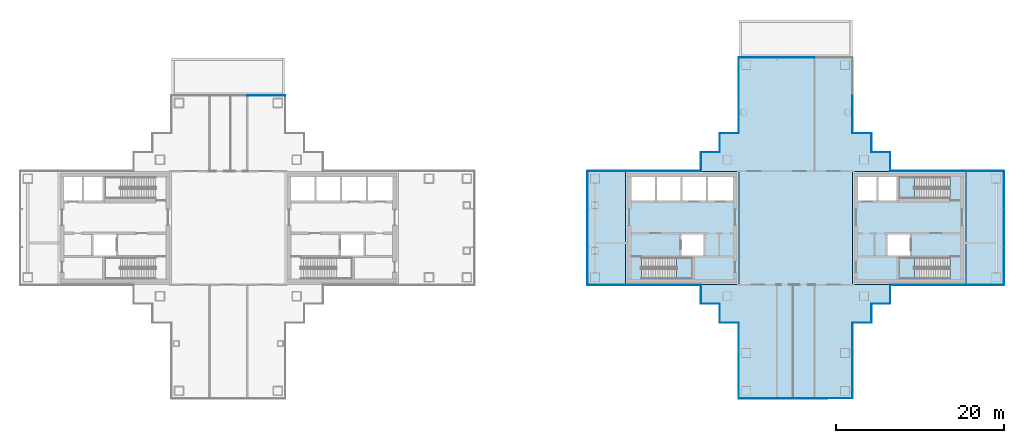
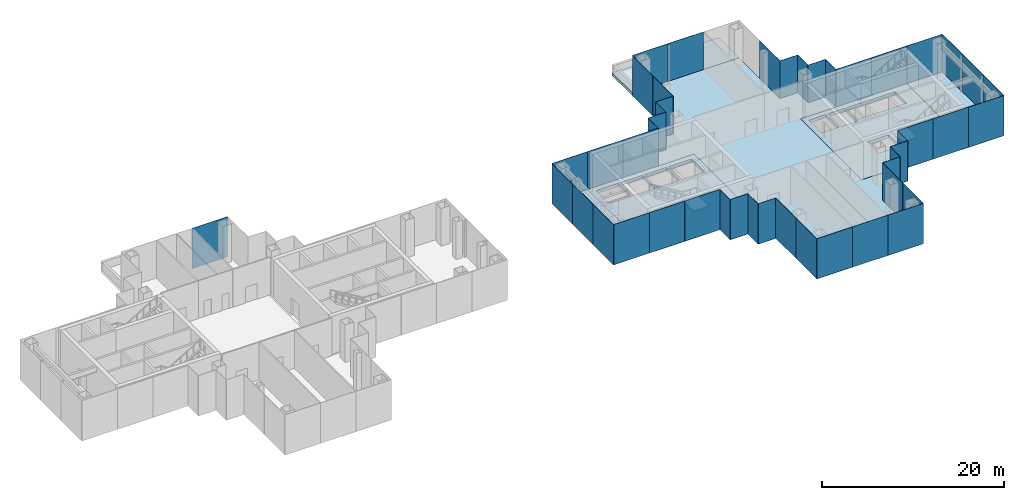
# One storey, part 7 of 15: 47 plates, 9 slabs, 24 elements without a shape of their own.
"""IFC4 building model written with IfcOpenShell, lengths in metres."""

import ifcopenshell
import ifcopenshell.guid

model = None  # the IFC model being written
_history = None  # IfcOwnerHistory: only IFC2X3 demands one
_inside = {}  # id of a spatial element -> (the spatial element, [elements in it])
_under = {}  # id of a project, library or spatial element -> (it, [spatial elements below it])
_declared = {}  # id of a project -> (the project, [libraries it declares])
_typed = {}  # id of a type object -> (the type object, [elements of that type])
_made_of = {}  # id of a material, layer set ... -> (it, [elements and type objects made of it])


def new_model(schema):
    """Start an empty IFC model of exactly this schema.

    Asked for "IFC4X3", IfcOpenShell would pick the latest addendum, in which some entities
    have other attributes; the version numbers below select the first issue.
    IFC2X3 requires an IfcOwnerHistory on every rooted entity: one is made here for all.
    """
    global model, _history
    if schema == "IFC4X3":
        model = ifcopenshell.file(schema_version=(4, 3, 0, 0))
    else:
        model = ifcopenshell.file(schema=schema)
    _inside.clear()
    _under.clear()
    _declared.clear()
    _typed.clear()
    _made_of.clear()
    _history = None
    if model.schema == "IFC2X3":
        org = make("IfcOrganization", Name="unknown")
        user = make(
            "IfcPersonAndOrganization",
            ThePerson=make("IfcPerson", FamilyName="unknown"),
            TheOrganization=org,
        )
        app = make(
            "IfcApplication",
            ApplicationDeveloper=org,
            Version="unknown",
            ApplicationFullName="unknown",
            ApplicationIdentifier="unknown",
        )
        _history = make(
            "IfcOwnerHistory",
            OwningUser=user,
            OwningApplication=app,
            ChangeAction="ADDED",
            CreationDate=0,
        )
    return model


def make(cls, **values):
    """One entity of the class cls with the attributes given. An attribute that is None is left unset."""
    return model.create_entity(
        cls, **{name: value for name, value in values.items() if value is not None}
    )


def rooted(cls, **values):
    """An entity with a GlobalId (a new one), such as an element, a storey or a relation."""
    return make(cls, GlobalId=ifcopenshell.guid.new(), OwnerHistory=_history, **values)


def si_unit(unit_type, name, prefix=None):
    """IfcSIUnit, for example si_unit("LENGTHUNIT", "METRE", prefix="MILLI")."""
    return make("IfcSIUnit", UnitType=unit_type, Prefix=prefix, Name=name)


def assignment(units):
    """IfcUnitAssignment: the units of a project."""
    return None if units is None else make("IfcUnitAssignment", Units=units)


def point(xyz):
    """IfcCartesianPoint."""
    return None if xyz is None else make("IfcCartesianPoint", Coordinates=xyz)


def direction(xyz):
    """IfcDirection."""
    return None if xyz is None else make("IfcDirection", DirectionRatios=xyz)


def frame(location, z_axis=None, x_axis=None):
    """IfcAxis2Placement3D, a coordinate frame: its origin and axes. An axis left out is left unset."""
    return make(
        "IfcAxis2Placement3D",
        Location=point(location),
        Axis=direction(z_axis),
        RefDirection=direction(x_axis),
    )


def frame_2d(location, x_axis=None):
    """IfcAxis2Placement2D, a coordinate frame in the plane: its origin and x axis."""
    return make(
        "IfcAxis2Placement2D", Location=point(location), RefDirection=direction(x_axis)
    )


def origin():
    """The frame at (0, 0, 0) with its axes left unset."""
    return frame((0.0, 0.0, 0.0))


def origin_2d():
    """The frame at (0, 0) in the plane with its x axis left unset."""
    return frame_2d((0.0, 0.0))


def place(relative_to, where):
    """IfcLocalPlacement: puts the frame where relative to a parent placement (None: the world)."""
    return make(
        "IfcLocalPlacement", PlacementRelTo=relative_to, RelativePlacement=where
    )


def context(
    kind, dimensions, precision=None, world=None, true_north=None, identifier=None
):
    """IfcGeometricRepresentationContext, for example the 3D "Model" context."""
    return make(
        "IfcGeometricRepresentationContext",
        ContextIdentifier=identifier,
        ContextType=kind,
        CoordinateSpaceDimension=dimensions,
        Precision=precision,
        WorldCoordinateSystem=world,
        TrueNorth=true_north,
    )


def subcontext(parent, identifier, kind, view, scale=None):
    """IfcGeometricRepresentationSubContext, for example "Body" below "Model"."""
    return make(
        "IfcGeometricRepresentationSubContext",
        ContextIdentifier=identifier,
        ContextType=kind,
        ParentContext=parent,
        TargetScale=scale,
        TargetView=view,
    )


def project(units=None, contexts=None):
    """IfcProject with its units and contexts."""
    return rooted(
        "IfcProject",
        Name="project",
        RepresentationContexts=contexts,
        UnitsInContext=assignment(units),
    )


def spatial(cls, under=None, at=None, **own):
    """A site, building, storey or space (cls), placed at a placement, below another one or the project."""
    s = rooted(cls, ObjectPlacement=at, **own)
    if under is not None:
        _under.setdefault(under.id(), (under, []))[1].append(s)
    return s


def polyline(points):
    """IfcPolyline through the points."""
    return make("IfcPolyline", Points=[point(p) for p in points])


def profile(cls, at=None, kind="AREA", **sizes):
    """A parametric profile (cls). Its sizes go by their IFC names, for example OverallWidth=200.0."""
    return make(cls, ProfileType=kind, Position=at, **sizes)


def rectangle(**sizes):
    """IfcRectangleProfileDef."""
    return profile("IfcRectangleProfileDef", **sizes)


def outline(outer, holes=None, kind="AREA"):
    """IfcArbitraryClosedProfileDef: a profile drawn as a closed curve; with holes, ...WithVoids."""
    if holes is None:
        return make("IfcArbitraryClosedProfileDef", ProfileType=kind, OuterCurve=outer)
    return make(
        "IfcArbitraryProfileDefWithVoids",
        ProfileType=kind,
        OuterCurve=outer,
        InnerCurves=holes,
    )


def extrude(swept, where, along, depth):
    """IfcExtrudedAreaSolid: the profile swept, set in the frame where, extruded along a direction by depth."""
    return make(
        "IfcExtrudedAreaSolid",
        SweptArea=swept,
        Position=where,
        ExtrudedDirection=direction(along),
        Depth=depth,
    )


def shape(context_of_items, identifier, shape_type, items):
    """IfcShapeRepresentation: the items that make up one representation, for example the "Body"."""
    return make(
        "IfcShapeRepresentation",
        ContextOfItems=context_of_items,
        RepresentationIdentifier=identifier,
        RepresentationType=shape_type,
        Items=items,
    )


def material(Name=None, Category=None):
    """IfcMaterial."""
    return make("IfcMaterial", Name=Name, Category=Category)


def layer(
    of_material, thickness, ventilated=None, Name=None, Category=None, Priority=None
):
    """IfcMaterialLayer: one layer of a wall or slab, of a material (None: an air gap)."""
    return make(
        "IfcMaterialLayer",
        Material=of_material,
        LayerThickness=thickness,
        IsVentilated=ventilated,
        Name=Name,
        Category=Category,
        Priority=Priority,
    )


def layer_set(layers, Name=None):
    """IfcMaterialLayerSet."""
    return make("IfcMaterialLayerSet", MaterialLayers=layers, LayerSetName=Name)


def made_of(thing, what):
    """Note that an element or type object is made of a material, layer set ...; save() writes the relation."""
    if what is not None:
        _made_of.setdefault(what.id(), (what, []))[1].append(thing)
    return thing


def type_object(cls, material=None, **own):
    """A type object (cls), such as IfcWallType, which elements share."""
    return made_of(rooted(cls, **own), material)


def element(
    cls,
    number,
    at=None,
    inside=None,
    cuts=None,
    type_object=None,
    material=None,
    context=None,
    identifier="Body",
    shape_type=None,
    held_by="IfcProductDefinitionShape",
    body=None,
    shapes=None,
    **own,
):
    """One element of the class cls, such as IfcWall. Its Tag is "e" and its number.

    at: its placement. inside: the storey or other place that contains it. cuts: it is an
    opening in that element (IfcRelVoidsElement). A single representation is given by context,
    identifier, shape_type and body (its items); several are given by shapes. held_by: the class
    of the entity that holds the representations. save() writes the other relations.
    """
    e = rooted(cls, Tag="e%d" % number, ObjectPlacement=at, **own)
    if body is not None:
        shapes = [shape(context, identifier, shape_type, body)]
    if shapes is not None:
        e.Representation = make(held_by, Representations=shapes)
    if inside is not None:
        _inside.setdefault(inside.id(), (inside, []))[1].append(e)
    if cuts is not None:
        rooted(
            "IfcRelVoidsElement", RelatingBuildingElement=cuts, RelatedOpeningElement=e
        )
    if type_object is not None:
        _typed.setdefault(type_object.id(), (type_object, []))[1].append(e)
    return made_of(e, material)


def aggregate(whole, parts):
    """IfcRelAggregates: a whole, such as a stair, and the parts it consists of."""
    return rooted("IfcRelAggregates", RelatingObject=whole, RelatedObjects=parts)


def save(model, path):
    """Write the relations noted so far, then the file.

    IfcRelAggregates (storeys below a building ...), IfcRelContainedInSpatialStructure (elements
    in a storey), IfcRelDefinesByType, IfcRelAssociatesMaterial and IfcRelDeclares: one each for
    every whole, place, type object, material and project.
    """
    for whole, parts in _under.values():
        aggregate(whole, parts)
    for where, things in _inside.values():
        rooted(
            "IfcRelContainedInSpatialStructure",
            RelatedElements=things,
            RelatingStructure=where,
        )
    for kind, things in _typed.values():
        rooted("IfcRelDefinesByType", RelatedObjects=things, RelatingType=kind)
    for what, things in _made_of.values():
        rooted("IfcRelAssociatesMaterial", RelatedObjects=things, RelatingMaterial=what)
    for by, libraries in _declared.values():
        rooted("IfcRelDeclares", RelatingContext=by, RelatedDefinitions=libraries)
    model.write(path)


model = new_model("IFC4")

# Units and contexts
model_context = context("Model", 3, precision=1e-05, world=origin(), true_north=direction((0.0, 1.0)))
body_context = subcontext(model_context, "Body", "Model", "MODEL_VIEW")
ifc_project = project(units=[si_unit("LENGTHUNIT", "METRE"), si_unit("AREAUNIT", "SQUARE_METRE"), si_unit("VOLUMEUNIT", "CUBIC_METRE"), si_unit("PLANEANGLEUNIT", "RADIAN"), si_unit("MASSUNIT", "GRAM", prefix="KILO")], contexts=[model_context])

# Site, building, storey
site_placement = place(None, origin())
site = spatial("IfcSite", under=ifc_project, at=site_placement, CompositionType="ELEMENT")
building_placement = place(site_placement, origin())
building = spatial("IfcBuilding", under=site, at=building_placement, Name="Shamsa Quay Exchange Towers", CompositionType="ELEMENT")
storey_placement = place(building_placement, frame((0.0, 0.0, 133.5)))
storey = spatial("IfcBuildingStorey", under=building, at=storey_placement, Name="L31", CompositionType="ELEMENT", Elevation=133.5)

# Slabs
ifc_material_1 = material(Name="Concrete C50/60", Category="concrete")
ifc_layer_1 = layer(ifc_material_1, 0.39990234375)
ifc_layer_set_1 = layer_set([ifc_layer_1], Name="CORE FLOOR 400 C50/60")
slab_type_1 = type_object("IfcSlabType", Name="CORE FLOOR 400 C50/60", PredefinedType="FLOOR", material=ifc_layer_set_1)
slab_1_placement = place(storey_placement, frame((0.0, 0.0, -0.39990234375)))
element("IfcSlab", 1, at=slab_1_placement, inside=storey, type_object=slab_type_1, Name="Core floor T2A", PredefinedType="FLOOR", context=body_context, shape_type="SweptSolid", body=[
    extrude(outline(polyline([(13.5, -6.75), (27.0, -6.75), (27.0, 6.75), (13.5, 6.75), (13.5, -6.75)]), holes=[polyline([(15.400634765625, -6.050048828125), (15.400634765625, -3.5), (21.5, -3.5), (21.5, -6.050048828125), (15.400634765625, -6.050048828125)]), polyline([(14.199951171875, 3.25), (14.199951171875, 6.050048828125), (17.0, 6.050048828125), (17.0, 3.25), (14.199951171875, 3.25)]), polyline([(17.25, 3.25), (17.25, 6.050048828125), (20.050048828125, 6.050048828125), (20.050048828125, 3.25), (17.25, 3.25)]), polyline([(20.300048828125, 3.25), (20.300048828125, 6.050048828125), (23.10009765625, 6.050048828125), (23.10009765625, 3.25), (20.300048828125, 3.25)]), polyline([(23.35009765625, 3.25), (23.35009765625, 6.050048828125), (26.300048828125, 6.050048828125), (26.300048828125, 3.25), (23.35009765625, 3.25)]), polyline([(20.14990234375, -3.25), (20.14990234375, -0.75), (22.800048828125, -0.75), (22.800048828125, -3.25), (20.14990234375, -3.25)])]), origin(), (0.0, 0.0, 1.0), 0.39990234375),
])
slab_2_placement = place(storey_placement, frame((0.0, 0.0, -0.39990234375)))
element("IfcSlab", 2, at=slab_2_placement, inside=storey, type_object=slab_type_1, Name="Core floor T2B", PredefinedType="FLOOR", context=body_context, shape_type="SweptSolid", body=[
    extrude(outline(polyline([(54.0, -6.75), (54.0, 6.75), (40.5, 6.75), (40.5, -6.75), (54.0, -6.75)]), holes=[polyline([(52.099365234375, -3.5), (52.099365234375, -6.050048828125), (46.0, -6.050048828125), (46.0, -3.5), (52.099365234375, -3.5)]), polyline([(52.099365234375, 6.050048828125), (52.099365234375, 3.5), (46.0, 3.5), (46.0, 6.050048828125), (52.099365234375, 6.050048828125)]), polyline([(45.75, 3.25), (43.60009765625, 3.25), (43.60009765625, 6.050048828125), (45.75, 6.050048828125), (45.75, 3.25)]), polyline([(43.35009765625, 3.25), (41.199951171875, 3.25), (41.199951171875, 6.050048828125), (43.35009765625, 6.050048828125), (43.35009765625, 3.25)]), polyline([(47.35009765625, -3.25), (44.699951171875, -3.25), (44.699951171875, -0.75), (47.35009765625, -0.75), (47.35009765625, -3.25)])]), origin(), (0.0, 0.0, 1.0), 0.39990234375),
])

# Stair, slab
ifc_material_2 = material(Name="Concrete C40/50", Category="concrete")
stair_type = type_object("IfcStairType", Name="EXIT STAIR 32 RISERS 169 MM", PredefinedType="HALF_TURN_STAIR", material=ifc_material_2)
stair_1_placement = place(storey_placement, origin())
stair_1 = element("IfcStair", 3, at=stair_1_placement, inside=storey, type_object=stair_type, Name="L31 Exit stair ST4", PredefinedType="HALF_TURN_STAIR")
ifc_layer_2 = layer(ifc_material_2, 0.199951171875)
ifc_layer_set_2 = layer_set([ifc_layer_2], Name="CORE STAIR LANDING")
slab_type_2 = type_object("IfcSlabType", Name="CORE STAIR LANDING", PredefinedType="LANDING", material=ifc_layer_set_2)
slab_3_placement = place(storey_placement, frame((0.0, 0.0, 2.5)))
slab_3 = element("IfcSlab", 4, at=slab_3_placement, type_object=slab_type_2, Name="ST4 landing 1", PredefinedType="LANDING", context=body_context, shape_type="SweptSolid", body=[
    extrude(outline(polyline([(19.60009765625, -6.050048828125), (21.5, -6.050048828125), (21.5, -3.5), (19.60009765625, -3.5), (19.60009765625, -6.050048828125)])), origin(), (0.0, 0.0, 1.0), 0.199951171875),
])
aggregate(stair_1, [slab_3])

stair_2_placement = place(storey_placement, origin())
stair_2 = element("IfcStair", 5, at=stair_2_placement, inside=storey, type_object=stair_type, Name="L31 Exit stair ST5", PredefinedType="HALF_TURN_STAIR")
slab_4_placement = place(storey_placement, frame((0.0, 0.0, 2.5)))
slab_4 = element("IfcSlab", 6, at=slab_4_placement, type_object=slab_type_2, Name="ST5 landing 1", PredefinedType="LANDING", context=body_context, shape_type="SweptSolid", body=[
    extrude(outline(polyline([(47.89990234375, -3.5), (46.0, -3.5), (46.0, -6.050048828125), (47.89990234375, -6.050048828125), (47.89990234375, -3.5)])), origin(), (0.0, 0.0, 1.0), 0.199951171875),
])
aggregate(stair_2, [slab_4])

stair_3_placement = place(storey_placement, origin())
stair_3 = element("IfcStair", 7, at=stair_3_placement, inside=storey, type_object=stair_type, Name="L31 Exit stair ST6", PredefinedType="HALF_TURN_STAIR")
slab_5_placement = place(storey_placement, frame((0.0, 0.0, 2.5)))
slab_5 = element("IfcSlab", 8, at=slab_5_placement, type_object=slab_type_2, Name="ST6 landing 1", PredefinedType="LANDING", context=body_context, shape_type="SweptSolid", body=[
    extrude(outline(polyline([(47.89990234375, 6.050048828125), (46.0, 6.050048828125), (46.0, 3.5), (47.89990234375, 3.5), (47.89990234375, 6.050048828125)])), origin(), (0.0, 0.0, 1.0), 0.199951171875),
])
aggregate(stair_3, [slab_5])

# Curtain wall, plates
ifc_material_3 = material(Name="Aluminium EN AW-6063 T6, black anodised", Category="aluminium")
ifc_layer_3 = layer(ifc_material_3, 0.303955078125)
ifc_layer_set_3 = layer_set([ifc_layer_3], Name="CW-2 UNITISED OPAQUE SPANDREL GLASS")
curtain_wall_type_1 = type_object("IfcCurtainWallType", Name="CW-2 UNITISED OPAQUE SPANDREL GLASS", PredefinedType="NOTDEFINED", material=ifc_layer_set_3)
curtain_wall_1_placement = place(storey_placement, origin())
curtain_wall_1 = element("IfcCurtainWall", 9, at=curtain_wall_1_placement, inside=storey, type_object=curtain_wall_type_1, Name="CW2 T2-FLK-V-W L31", PredefinedType="NOTDEFINED")
ifc_material_4 = material(Name="Glass, laminated, black enamelled opaque", Category="glass")
ifc_layer_4 = layer(ifc_material_4, 0.0439453125)
ifc_layer_set_4 = layer_set([ifc_layer_4], Name="CW-2 SPANDREL GLASS 44")
plate_type_1 = type_object("IfcPlateType", Name="CW-2 SPANDREL GLASS 44", PredefinedType="CURTAIN_PANEL", material=ifc_layer_set_4)
plate_1_placement = place(storey_placement, frame((47.27587890625, -6.77197265625, -0.349853515625)))
plate_1 = element("IfcPlate", 10, at=plate_1_placement, type_object=plate_type_1, Name="CW2 glass panel", PredefinedType="CURTAIN_PANEL", context=body_context, shape_type="SweptSolid", body=[
    extrude(rectangle(XDim=4.47607421875, YDim=0.0439453125, at=origin_2d()), origin(), (0.0, 0.0, 1.0), 5.39990234375),
])
plate_2_placement = place(storey_placement, frame((51.761962890625, -6.77197265625, -0.349853515625)))
plate_2 = element("IfcPlate", 11, at=plate_2_placement, type_object=plate_type_1, Name="CW2 glass panel", PredefinedType="CURTAIN_PANEL", context=body_context, shape_type="SweptSolid", body=[
    extrude(rectangle(XDim=4.47607421875, YDim=0.0439453125, at=origin_2d()), origin(), (0.0, 0.0, 1.0), 5.39990234375),
])
aggregate(curtain_wall_1, [plate_1, plate_2])

curtain_wall_2_placement = place(storey_placement, origin())
curtain_wall_2 = element("IfcCurtainWall", 12, at=curtain_wall_2_placement, inside=storey, type_object=curtain_wall_type_1, Name="CW2 T2-FLK-V-E L31", PredefinedType="NOTDEFINED")
plate_3_placement = place(storey_placement, frame((51.75244140625, 6.77197265625, -0.349853515625), z_axis=(0.0, 0.0, 1.0), x_axis=(-1.0, 0.0, 0.0)))
plate_3 = element("IfcPlate", 13, at=plate_3_placement, type_object=plate_type_1, Name="CW2 glass panel", PredefinedType="CURTAIN_PANEL", context=body_context, shape_type="SweptSolid", body=[
    extrude(rectangle(XDim=4.4951171875, YDim=0.0439453125, at=origin_2d()), origin(), (0.0, 0.0, 1.0), 5.39990234375),
])
plate_4_placement = place(storey_placement, frame((47.24755859375, 6.77197265625, -0.349853515625), z_axis=(0.0, 0.0, 1.0), x_axis=(-1.0, 0.0, 0.0)))
plate_4 = element("IfcPlate", 14, at=plate_4_placement, type_object=plate_type_1, Name="CW2 glass panel", PredefinedType="CURTAIN_PANEL", context=body_context, shape_type="SweptSolid", body=[
    extrude(rectangle(XDim=4.4951171875, YDim=0.0439453125, at=origin_2d()), origin(), (0.0, 0.0, 1.0), 5.39990234375),
])
aggregate(curtain_wall_2, [plate_3, plate_4])

curtain_wall_3_placement = place(storey_placement, origin())
curtain_wall_3 = element("IfcCurtainWall", 15, at=curtain_wall_3_placement, inside=storey, type_object=curtain_wall_type_1, Name="CW2 T2-FLK-V+E L31", PredefinedType="NOTDEFINED")
plate_5_placement = place(storey_placement, frame((20.22412109375, 6.77197265625, -0.349853515625), z_axis=(0.0, 0.0, 1.0), x_axis=(-1.0, 0.0, 0.0)))
plate_5 = element("IfcPlate", 16, at=plate_5_placement, type_object=plate_type_1, Name="CW2 glass panel", PredefinedType="CURTAIN_PANEL", context=body_context, shape_type="SweptSolid", body=[
    extrude(rectangle(XDim=4.47607421875, YDim=0.0439453125, at=origin_2d()), origin(), (0.0, 0.0, 1.0), 5.39990234375),
])
plate_6_placement = place(storey_placement, frame((15.738037109375, 6.77197265625, -0.349853515625), z_axis=(0.0, 0.0, 1.0), x_axis=(-1.0, 0.0, 0.0)))
plate_6 = element("IfcPlate", 17, at=plate_6_placement, type_object=plate_type_1, Name="CW2 glass panel", PredefinedType="CURTAIN_PANEL", context=body_context, shape_type="SweptSolid", body=[
    extrude(rectangle(XDim=4.47607421875, YDim=0.0439453125, at=origin_2d()), origin(), (0.0, 0.0, 1.0), 5.39990234375),
])
aggregate(curtain_wall_3, [plate_5, plate_6])

curtain_wall_4_placement = place(storey_placement, origin())
curtain_wall_4 = element("IfcCurtainWall", 18, at=curtain_wall_4_placement, inside=storey, type_object=curtain_wall_type_1, Name="CW2 T2-FLK-V+W L31", PredefinedType="NOTDEFINED")
plate_7_placement = place(storey_placement, frame((15.74755859375, -6.77197265625, -0.349853515625)))
plate_7 = element("IfcPlate", 19, at=plate_7_placement, type_object=plate_type_1, Name="CW2 glass panel", PredefinedType="CURTAIN_PANEL", context=body_context, shape_type="SweptSolid", body=[
    extrude(rectangle(XDim=4.4951171875, YDim=0.0439453125, at=origin_2d()), origin(), (0.0, 0.0, 1.0), 5.39990234375),
])
plate_8_placement = place(storey_placement, frame((20.25244140625, -6.77197265625, -0.349853515625)))
plate_8 = element("IfcPlate", 20, at=plate_8_placement, type_object=plate_type_1, Name="CW2 glass panel", PredefinedType="CURTAIN_PANEL", context=body_context, shape_type="SweptSolid", body=[
    extrude(rectangle(XDim=4.4951171875, YDim=0.0439453125, at=origin_2d()), origin(), (0.0, 0.0, 1.0), 5.39990234375),
])
aggregate(curtain_wall_4, [plate_7, plate_8])

ifc_layer_5 = layer(ifc_material_3, 0.256103515625)
ifc_layer_set_5 = layer_set([ifc_layer_5], Name="CW-4 POCKET SERRATED GLAZING")
curtain_wall_type_2 = type_object("IfcCurtainWallType", Name="CW-4 POCKET SERRATED GLAZING", PredefinedType="NOTDEFINED", material=ifc_layer_set_5)
curtain_wall_5_placement = place(storey_placement, origin())
curtain_wall_5 = element("IfcCurtainWall", 21, at=curtain_wall_5_placement, inside=storey, type_object=curtain_wall_type_2, Name="CW4 PKWS L31", PredefinedType="NOTDEFINED")
ifc_material_5 = material(Name="Glass, laminated, dark tinted", Category="glass")
ifc_layer_6 = layer(ifc_material_5, 0.035888671875)
ifc_layer_set_6 = layer_set([ifc_layer_6], Name="CW-4 POCKET GLASS 36")
plate_type_2 = type_object("IfcPlateType", Name="CW-4 POCKET GLASS 36", PredefinedType="CURTAIN_PANEL", material=ifc_layer_set_6)
plate_9_placement = place(storey_placement, frame((43.89404296875, -9.01806640625, -0.349853515625)))
plate_9 = element("IfcPlate", 22, at=plate_9_placement, type_object=plate_type_2, Name="CW4 glass panel", PredefinedType="CURTAIN_PANEL", context=body_context, shape_type="SweptSolid", body=[
    extrude(rectangle(XDim=2.2119140625, YDim=0.035888671875, at=origin_2d()), origin(), (0.0, 0.0, 1.0), 5.39990234375),
])
plate_10_placement = place(storey_placement, frame((45.01806640625, -7.875, -0.349853515625), z_axis=(0.0, 0.0, 1.0), x_axis=(0.0, 1.0, 0.0)))
plate_10 = element("IfcPlate", 23, at=plate_10_placement, type_object=plate_type_2, Name="CW4 glass panel", PredefinedType="CURTAIN_PANEL", context=body_context, shape_type="SweptSolid", body=[
    extrude(rectangle(XDim=2.25, YDim=0.035888671875, at=origin_2d()), origin(), (0.0, 0.0, 1.0), 5.39990234375),
])
plate_11_placement = place(storey_placement, frame((41.64794921875, -11.26806640625, -0.349853515625)))
plate_11 = element("IfcPlate", 24, at=plate_11_placement, type_object=plate_type_2, Name="CW4 glass panel", PredefinedType="CURTAIN_PANEL", context=body_context, shape_type="SweptSolid", body=[
    extrude(rectangle(XDim=2.2041015625, YDim=0.035888671875, at=origin_2d()), origin(), (0.0, 0.0, 1.0), 5.39990234375),
])
plate_12_placement = place(storey_placement, frame((42.76806640625, -10.125, -0.349853515625), z_axis=(0.0, 0.0, 1.0), x_axis=(0.0, 1.0, 0.0)))
plate_12 = element("IfcPlate", 25, at=plate_12_placement, type_object=plate_type_2, Name="CW4 glass panel", PredefinedType="CURTAIN_PANEL", context=body_context, shape_type="SweptSolid", body=[
    extrude(rectangle(XDim=2.25, YDim=0.035888671875, at=origin_2d()), origin(), (0.0, 0.0, 1.0), 5.39990234375),
])
aggregate(curtain_wall_5, [plate_9, plate_10, plate_11, plate_12])

curtain_wall_6_placement = place(storey_placement, origin())
curtain_wall_6 = element("IfcCurtainWall", 26, at=curtain_wall_6_placement, inside=storey, type_object=curtain_wall_type_2, Name="CW4 PKES L31", PredefinedType="NOTDEFINED")
plate_13_placement = place(storey_placement, frame((45.01806640625, 7.89794921875, -0.349853515625), z_axis=(0.0, 0.0, 1.0), x_axis=(0.0, 1.0, 0.0)))
plate_13 = element("IfcPlate", 27, at=plate_13_placement, type_object=plate_type_2, Name="CW4 glass panel", PredefinedType="CURTAIN_PANEL", context=body_context, shape_type="SweptSolid", body=[
    extrude(rectangle(XDim=2.2041015625, YDim=0.035888671875, at=origin_2d()), origin(), (0.0, 0.0, 1.0), 5.39990234375),
])
plate_14_placement = place(storey_placement, frame((43.875, 9.01806640625, -0.349853515625), z_axis=(0.0, 0.0, 1.0), x_axis=(-1.0, 0.0, 0.0)))
plate_14 = element("IfcPlate", 28, at=plate_14_placement, type_object=plate_type_2, Name="CW4 glass panel", PredefinedType="CURTAIN_PANEL", context=body_context, shape_type="SweptSolid", body=[
    extrude(rectangle(XDim=2.25, YDim=0.035888671875, at=origin_2d()), origin(), (0.0, 0.0, 1.0), 5.39990234375),
])
plate_15_placement = place(storey_placement, frame((42.76806640625, 10.14404296875, -0.349853515625), z_axis=(0.0, 0.0, 1.0), x_axis=(0.0, 1.0, 0.0)))
plate_15 = element("IfcPlate", 29, at=plate_15_placement, type_object=plate_type_2, Name="CW4 glass panel", PredefinedType="CURTAIN_PANEL", context=body_context, shape_type="SweptSolid", body=[
    extrude(rectangle(XDim=2.2119140625, YDim=0.035888671875, at=origin_2d()), origin(), (0.0, 0.0, 1.0), 5.39990234375),
])
plate_16_placement = place(storey_placement, frame((41.625, 11.26806640625, -0.349853515625), z_axis=(0.0, 0.0, 1.0), x_axis=(-1.0, 0.0, 0.0)))
plate_16 = element("IfcPlate", 30, at=plate_16_placement, type_object=plate_type_2, Name="CW4 glass panel", PredefinedType="CURTAIN_PANEL", context=body_context, shape_type="SweptSolid", body=[
    extrude(rectangle(XDim=2.25, YDim=0.035888671875, at=origin_2d()), origin(), (0.0, 0.0, 1.0), 5.39990234375),
])
aggregate(curtain_wall_6, [plate_13, plate_14, plate_15, plate_16])

curtain_wall_7_placement = place(storey_placement, origin())
curtain_wall_7 = element("IfcCurtainWall", 31, at=curtain_wall_7_placement, inside=storey, type_object=curtain_wall_type_2, Name="CW4 PKEN L31", PredefinedType="NOTDEFINED")
plate_17_placement = place(storey_placement, frame((25.85205078125, 11.26806640625, -0.349853515625), z_axis=(0.0, 0.0, 1.0), x_axis=(-1.0, 0.0, 0.0)))
plate_17 = element("IfcPlate", 32, at=plate_17_placement, type_object=plate_type_2, Name="CW4 glass panel", PredefinedType="CURTAIN_PANEL", context=body_context, shape_type="SweptSolid", body=[
    extrude(rectangle(XDim=2.2041015625, YDim=0.035888671875, at=origin_2d()), origin(), (0.0, 0.0, 1.0), 5.39990234375),
])
plate_18_placement = place(storey_placement, frame((24.73193359375, 10.125, -0.349853515625), z_axis=(0.0, 0.0, 1.0), x_axis=(0.0, -1.0, 0.0)))
plate_18 = element("IfcPlate", 33, at=plate_18_placement, type_object=plate_type_2, Name="CW4 glass panel", PredefinedType="CURTAIN_PANEL", context=body_context, shape_type="SweptSolid", body=[
    extrude(rectangle(XDim=2.25, YDim=0.035888671875, at=origin_2d()), origin(), (0.0, 0.0, 1.0), 5.39990234375),
])
plate_19_placement = place(storey_placement, frame((23.60595703125, 9.01806640625, -0.349853515625), z_axis=(0.0, 0.0, 1.0), x_axis=(-1.0, 0.0, 0.0)))
plate_19 = element("IfcPlate", 34, at=plate_19_placement, type_object=plate_type_2, Name="CW4 glass panel", PredefinedType="CURTAIN_PANEL", context=body_context, shape_type="SweptSolid", body=[
    extrude(rectangle(XDim=2.2119140625, YDim=0.035888671875, at=origin_2d()), origin(), (0.0, 0.0, 1.0), 5.39990234375),
])
plate_20_placement = place(storey_placement, frame((22.48193359375, 7.875, -0.349853515625), z_axis=(0.0, 0.0, 1.0), x_axis=(0.0, -1.0, 0.0)))
plate_20 = element("IfcPlate", 35, at=plate_20_placement, type_object=plate_type_2, Name="CW4 glass panel", PredefinedType="CURTAIN_PANEL", context=body_context, shape_type="SweptSolid", body=[
    extrude(rectangle(XDim=2.25, YDim=0.035888671875, at=origin_2d()), origin(), (0.0, 0.0, 1.0), 5.39990234375),
])
aggregate(curtain_wall_7, [plate_17, plate_18, plate_19, plate_20])

curtain_wall_8_placement = place(storey_placement, origin())
curtain_wall_8 = element("IfcCurtainWall", 36, at=curtain_wall_8_placement, inside=storey, type_object=curtain_wall_type_2, Name="CW4 PKWN L31", PredefinedType="NOTDEFINED")
plate_21_placement = place(storey_placement, frame((22.48193359375, -7.89794921875, -0.349853515625), z_axis=(0.0, 0.0, 1.0), x_axis=(0.0, -1.0, 0.0)))
plate_21 = element("IfcPlate", 37, at=plate_21_placement, type_object=plate_type_2, Name="CW4 glass panel", PredefinedType="CURTAIN_PANEL", context=body_context, shape_type="SweptSolid", body=[
    extrude(rectangle(XDim=2.2041015625, YDim=0.035888671875, at=origin_2d()), origin(), (0.0, 0.0, 1.0), 5.39990234375),
])
plate_22_placement = place(storey_placement, frame((23.625, -9.01806640625, -0.349853515625)))
plate_22 = element("IfcPlate", 38, at=plate_22_placement, type_object=plate_type_2, Name="CW4 glass panel", PredefinedType="CURTAIN_PANEL", context=body_context, shape_type="SweptSolid", body=[
    extrude(rectangle(XDim=2.25, YDim=0.035888671875, at=origin_2d()), origin(), (0.0, 0.0, 1.0), 5.39990234375),
])
plate_23_placement = place(storey_placement, frame((24.73193359375, -10.14404296875, -0.349853515625), z_axis=(0.0, 0.0, 1.0), x_axis=(0.0, -1.0, 0.0)))
plate_23 = element("IfcPlate", 39, at=plate_23_placement, type_object=plate_type_2, Name="CW4 glass panel", PredefinedType="CURTAIN_PANEL", context=body_context, shape_type="SweptSolid", body=[
    extrude(rectangle(XDim=2.2119140625, YDim=0.035888671875, at=origin_2d()), origin(), (0.0, 0.0, 1.0), 5.39990234375),
])
plate_24_placement = place(storey_placement, frame((25.875, -11.26806640625, -0.349853515625)))
plate_24 = element("IfcPlate", 40, at=plate_24_placement, type_object=plate_type_2, Name="CW4 glass panel", PredefinedType="CURTAIN_PANEL", context=body_context, shape_type="SweptSolid", body=[
    extrude(rectangle(XDim=2.25, YDim=0.035888671875, at=origin_2d()), origin(), (0.0, 0.0, 1.0), 5.39990234375),
])
aggregate(curtain_wall_8, [plate_21, plate_22, plate_23, plate_24])

# Curtain wall, plate
ifc_layer_7 = layer(ifc_material_3, 0.31396484375)
ifc_layer_set_7 = layer_set([ifc_layer_7], Name="CW-6 TALL STOREY GLAZING")
curtain_wall_type_3 = type_object("IfcCurtainWallType", Name="CW-6 TALL STOREY GLAZING", PredefinedType="NOTDEFINED", material=ifc_layer_set_7)
curtain_wall_9_placement = place(storey_placement, origin())
curtain_wall_9 = element("IfcCurtainWall", 41, at=curtain_wall_9_placement, inside=storey, type_object=curtain_wall_type_3, Name="CW6 T1-END-V+ L31", PredefinedType="NOTDEFINED")
ifc_layer_8 = layer(ifc_material_5, 0.0439453125)
ifc_layer_set_8 = layer_set([ifc_layer_8], Name="CW-6 TALL GLASS 44")
plate_type_3 = type_object("IfcPlateType", Name="CW-6 TALL GLASS 44", PredefinedType="CURTAIN_PANEL", material=ifc_layer_set_8)
plate_25_placement = place(storey_placement, frame((-29.24755859375, 15.77197265625, -0.349853515625), z_axis=(0.0, 0.0, 1.0), x_axis=(-1.0, 0.0, 0.0)))
plate_25 = element("IfcPlate", 42, at=plate_25_placement, type_object=plate_type_3, Name="CW6 glass panel", PredefinedType="CURTAIN_PANEL", context=body_context, shape_type="SweptSolid", body=[
    extrude(rectangle(XDim=4.4951171875, YDim=0.0439453125, at=origin_2d()), origin(), (0.0, 0.0, 1.0), 5.39990234375),
])
aggregate(curtain_wall_9, [plate_25])

curtain_wall_10_placement = place(storey_placement, origin())
curtain_wall_10 = element("IfcCurtainWall", 43, at=curtain_wall_10_placement, inside=storey, type_object=curtain_wall_type_3, Name="CW6 T2-FLK-V-W L31", PredefinedType="NOTDEFINED")
plate_26_placement = place(storey_placement, frame((56.25, -6.77197265625, -0.349853515625)))
plate_26 = element("IfcPlate", 44, at=plate_26_placement, type_object=plate_type_3, Name="CW6 glass panel", PredefinedType="CURTAIN_PANEL", context=body_context, shape_type="SweptSolid", body=[
    extrude(rectangle(XDim=4.5, YDim=0.0439453125, at=origin_2d()), origin(), (0.0, 0.0, 1.0), 5.39990234375),
])
aggregate(curtain_wall_10, [plate_26])

# Curtain wall, plates
curtain_wall_11_placement = place(storey_placement, origin())
curtain_wall_11 = element("IfcCurtainWall", 45, at=curtain_wall_11_placement, inside=storey, type_object=curtain_wall_type_3, Name="CW6 T2-END-V- L31", PredefinedType="NOTDEFINED")
plate_27_placement = place(storey_placement, frame((58.52197265625, -4.50244140625, -0.349853515625), z_axis=(0.0, 0.0, 1.0), x_axis=(0.0, 1.0, 0.0)))
plate_27 = element("IfcPlate", 46, at=plate_27_placement, type_object=plate_type_3, Name="CW6 glass panel", PredefinedType="CURTAIN_PANEL", context=body_context, shape_type="SweptSolid", body=[
    extrude(rectangle(XDim=4.4951171875, YDim=0.0439453125, at=origin_2d()), origin(), (0.0, 0.0, 1.0), 5.39990234375),
])
plate_28_placement = place(storey_placement, frame((58.52197265625, 0.0, -0.349853515625), z_axis=(0.0, 0.0, 1.0), x_axis=(0.0, 1.0, 0.0)))
plate_28 = element("IfcPlate", 47, at=plate_28_placement, type_object=plate_type_3, Name="CW6 glass panel", PredefinedType="CURTAIN_PANEL", context=body_context, shape_type="SweptSolid", body=[
    extrude(rectangle(XDim=4.489990234375, YDim=0.0439453125, at=origin_2d()), origin(), (0.0, 0.0, 1.0), 5.39990234375),
])
plate_29_placement = place(storey_placement, frame((58.52197265625, 4.50244140625, -0.349853515625), z_axis=(0.0, 0.0, 1.0), x_axis=(0.0, 1.0, 0.0)))
plate_29 = element("IfcPlate", 48, at=plate_29_placement, type_object=plate_type_3, Name="CW6 glass panel", PredefinedType="CURTAIN_PANEL", context=body_context, shape_type="SweptSolid", body=[
    extrude(rectangle(XDim=4.4951171875, YDim=0.0439453125, at=origin_2d()), origin(), (0.0, 0.0, 1.0), 5.39990234375),
])
aggregate(curtain_wall_11, [plate_27, plate_28, plate_29])

# Curtain wall, plate
curtain_wall_12_placement = place(storey_placement, origin())
curtain_wall_12 = element("IfcCurtainWall", 49, at=curtain_wall_12_placement, inside=storey, type_object=curtain_wall_type_3, Name="CW6 T2-FLK-V-E L31", PredefinedType="NOTDEFINED")
plate_30_placement = place(storey_placement, frame((56.25, 6.77197265625, -0.349853515625), z_axis=(0.0, 0.0, 1.0), x_axis=(-1.0, 0.0, 0.0)))
plate_30 = element("IfcPlate", 50, at=plate_30_placement, type_object=plate_type_3, Name="CW6 glass panel", PredefinedType="CURTAIN_PANEL", context=body_context, shape_type="SweptSolid", body=[
    extrude(rectangle(XDim=4.5, YDim=0.0439453125, at=origin_2d()), origin(), (0.0, 0.0, 1.0), 5.39990234375),
])
aggregate(curtain_wall_12, [plate_30])

curtain_wall_13_placement = place(storey_placement, origin())
curtain_wall_13 = element("IfcCurtainWall", 51, at=curtain_wall_13_placement, inside=storey, type_object=curtain_wall_type_3, Name="CW6 T2-FLK-U+S L31", PredefinedType="NOTDEFINED")
plate_31_placement = place(storey_placement, frame((40.52197265625, 13.52587890625, -0.349853515625), z_axis=(0.0, 0.0, 1.0), x_axis=(0.0, 1.0, 0.0)))
plate_31 = element("IfcPlate", 52, at=plate_31_placement, type_object=plate_type_3, Name="CW6 glass panel", PredefinedType="CURTAIN_PANEL", context=body_context, shape_type="SweptSolid", body=[
    extrude(rectangle(XDim=4.47607421875, YDim=0.0439453125, at=origin_2d()), origin(), (0.0, 0.0, 1.0), 5.39990234375),
])
aggregate(curtain_wall_13, [plate_31])

# Curtain wall, plates
curtain_wall_14_placement = place(storey_placement, origin())
curtain_wall_14 = element("IfcCurtainWall", 53, at=curtain_wall_14_placement, inside=storey, type_object=curtain_wall_type_3, Name="CW6 T2-END-U+ L31", PredefinedType="NOTDEFINED")
plate_32_placement = place(storey_placement, frame((33.75, 20.27197265625, -0.349853515625), z_axis=(0.0, 0.0, 1.0), x_axis=(-1.0, 0.0, 0.0)))
plate_32 = element("IfcPlate", 54, at=plate_32_placement, type_object=plate_type_3, Name="CW6 glass panel", PredefinedType="CURTAIN_PANEL", context=body_context, shape_type="SweptSolid", body=[
    extrude(rectangle(XDim=4.489990234375, YDim=0.0439453125, at=origin_2d()), origin(), (0.0, 0.0, 1.0), 5.39990234375),
])
plate_33_placement = place(storey_placement, frame((29.24755859375, 20.27197265625, -0.349853515625), z_axis=(0.0, 0.0, 1.0), x_axis=(-1.0, 0.0, 0.0)))
plate_33 = element("IfcPlate", 55, at=plate_33_placement, type_object=plate_type_3, Name="CW6 glass panel", PredefinedType="CURTAIN_PANEL", context=body_context, shape_type="SweptSolid", body=[
    extrude(rectangle(XDim=4.4951171875, YDim=0.0439453125, at=origin_2d()), origin(), (0.0, 0.0, 1.0), 5.39990234375),
])
aggregate(curtain_wall_14, [plate_32, plate_33])

curtain_wall_15_placement = place(storey_placement, origin())
curtain_wall_15 = element("IfcCurtainWall", 56, at=curtain_wall_15_placement, inside=storey, type_object=curtain_wall_type_3, Name="CW6 T2-FLK-U+N L31", PredefinedType="NOTDEFINED")
plate_34_placement = place(storey_placement, frame((26.97802734375, 18.00244140625, -0.349853515625), z_axis=(0.0, 0.0, 1.0), x_axis=(0.0, -1.0, 0.0)))
plate_34 = element("IfcPlate", 57, at=plate_34_placement, type_object=plate_type_3, Name="CW6 glass panel", PredefinedType="CURTAIN_PANEL", context=body_context, shape_type="SweptSolid", body=[
    extrude(rectangle(XDim=4.4951171875, YDim=0.0439453125, at=origin_2d()), origin(), (0.0, 0.0, 1.0), 5.39990234375),
])
plate_35_placement = place(storey_placement, frame((26.97802734375, 13.49755859375, -0.349853515625), z_axis=(0.0, 0.0, 1.0), x_axis=(0.0, -1.0, 0.0)))
plate_35 = element("IfcPlate", 58, at=plate_35_placement, type_object=plate_type_3, Name="CW6 glass panel", PredefinedType="CURTAIN_PANEL", context=body_context, shape_type="SweptSolid", body=[
    extrude(rectangle(XDim=4.4951171875, YDim=0.0439453125, at=origin_2d()), origin(), (0.0, 0.0, 1.0), 5.39990234375),
])
aggregate(curtain_wall_15, [plate_34, plate_35])

# Curtain wall, plate
curtain_wall_16_placement = place(storey_placement, origin())
curtain_wall_16 = element("IfcCurtainWall", 59, at=curtain_wall_16_placement, inside=storey, type_object=curtain_wall_type_3, Name="CW6 T2-FLK-V+E L31", PredefinedType="NOTDEFINED")
plate_36_placement = place(storey_placement, frame((11.25, 6.77197265625, -0.349853515625), z_axis=(0.0, 0.0, 1.0), x_axis=(-1.0, 0.0, 0.0)))
plate_36 = element("IfcPlate", 60, at=plate_36_placement, type_object=plate_type_3, Name="CW6 glass panel", PredefinedType="CURTAIN_PANEL", context=body_context, shape_type="SweptSolid", body=[
    extrude(rectangle(XDim=4.5, YDim=0.0439453125, at=origin_2d()), origin(), (0.0, 0.0, 1.0), 5.39990234375),
])
aggregate(curtain_wall_16, [plate_36])

# Curtain wall, plates
curtain_wall_17_placement = place(storey_placement, origin())
curtain_wall_17 = element("IfcCurtainWall", 61, at=curtain_wall_17_placement, inside=storey, type_object=curtain_wall_type_3, Name="CW6 T2-END-V+ L31", PredefinedType="NOTDEFINED")
plate_37_placement = place(storey_placement, frame((8.97802734375, 4.50244140625, -0.349853515625), z_axis=(0.0, 0.0, 1.0), x_axis=(0.0, -1.0, 0.0)))
plate_37 = element("IfcPlate", 62, at=plate_37_placement, type_object=plate_type_3, Name="CW6 glass panel", PredefinedType="CURTAIN_PANEL", context=body_context, shape_type="SweptSolid", body=[
    extrude(rectangle(XDim=4.4951171875, YDim=0.0439453125, at=origin_2d()), origin(), (0.0, 0.0, 1.0), 5.39990234375),
])
plate_38_placement = place(storey_placement, frame((8.97802734375, 0.0, -0.349853515625), z_axis=(0.0, 0.0, 1.0), x_axis=(0.0, -1.0, 0.0)))
plate_38 = element("IfcPlate", 63, at=plate_38_placement, type_object=plate_type_3, Name="CW6 glass panel", PredefinedType="CURTAIN_PANEL", context=body_context, shape_type="SweptSolid", body=[
    extrude(rectangle(XDim=4.489990234375, YDim=0.0439453125, at=origin_2d()), origin(), (0.0, 0.0, 1.0), 5.39990234375),
])
plate_39_placement = place(storey_placement, frame((8.97802734375, -4.50244140625, -0.349853515625), z_axis=(0.0, 0.0, 1.0), x_axis=(0.0, -1.0, 0.0)))
plate_39 = element("IfcPlate", 64, at=plate_39_placement, type_object=plate_type_3, Name="CW6 glass panel", PredefinedType="CURTAIN_PANEL", context=body_context, shape_type="SweptSolid", body=[
    extrude(rectangle(XDim=4.4951171875, YDim=0.0439453125, at=origin_2d()), origin(), (0.0, 0.0, 1.0), 5.39990234375),
])
aggregate(curtain_wall_17, [plate_37, plate_38, plate_39])

# Curtain wall, plate
curtain_wall_18_placement = place(storey_placement, origin())
curtain_wall_18 = element("IfcCurtainWall", 65, at=curtain_wall_18_placement, inside=storey, type_object=curtain_wall_type_3, Name="CW6 T2-FLK-V+W L31", PredefinedType="NOTDEFINED")
plate_40_placement = place(storey_placement, frame((11.25, -6.77197265625, -0.349853515625)))
plate_40 = element("IfcPlate", 66, at=plate_40_placement, type_object=plate_type_3, Name="CW6 glass panel", PredefinedType="CURTAIN_PANEL", context=body_context, shape_type="SweptSolid", body=[
    extrude(rectangle(XDim=4.5, YDim=0.0439453125, at=origin_2d()), origin(), (0.0, 0.0, 1.0), 5.39990234375),
])
aggregate(curtain_wall_18, [plate_40])

# Curtain wall, plates
curtain_wall_19_placement = place(storey_placement, origin())
curtain_wall_19 = element("IfcCurtainWall", 67, at=curtain_wall_19_placement, inside=storey, type_object=curtain_wall_type_3, Name="CW6 T2-FLK-U-N L31", PredefinedType="NOTDEFINED")
plate_41_placement = place(storey_placement, frame((26.97802734375, -13.52587890625, -0.349853515625), z_axis=(0.0, 0.0, 1.0), x_axis=(0.0, -1.0, 0.0)))
plate_41 = element("IfcPlate", 68, at=plate_41_placement, type_object=plate_type_3, Name="CW6 glass panel", PredefinedType="CURTAIN_PANEL", context=body_context, shape_type="SweptSolid", body=[
    extrude(rectangle(XDim=4.47607421875, YDim=0.0439453125, at=origin_2d()), origin(), (0.0, 0.0, 1.0), 5.39990234375),
])
plate_42_placement = place(storey_placement, frame((26.97802734375, -18.011962890625, -0.349853515625), z_axis=(0.0, 0.0, 1.0), x_axis=(0.0, -1.0, 0.0)))
plate_42 = element("IfcPlate", 69, at=plate_42_placement, type_object=plate_type_3, Name="CW6 glass panel", PredefinedType="CURTAIN_PANEL", context=body_context, shape_type="SweptSolid", body=[
    extrude(rectangle(XDim=4.47607421875, YDim=0.0439453125, at=origin_2d()), origin(), (0.0, 0.0, 1.0), 5.39990234375),
])
aggregate(curtain_wall_19, [plate_41, plate_42])

curtain_wall_20_placement = place(storey_placement, origin())
curtain_wall_20 = element("IfcCurtainWall", 70, at=curtain_wall_20_placement, inside=storey, type_object=curtain_wall_type_3, Name="CW6 T2-END-U- L31", PredefinedType="NOTDEFINED")
plate_43_placement = place(storey_placement, frame((29.24755859375, -20.27197265625, -0.349853515625)))
plate_43 = element("IfcPlate", 71, at=plate_43_placement, type_object=plate_type_3, Name="CW6 glass panel", PredefinedType="CURTAIN_PANEL", context=body_context, shape_type="SweptSolid", body=[
    extrude(rectangle(XDim=4.4951171875, YDim=0.0439453125, at=origin_2d()), origin(), (0.0, 0.0, 1.0), 5.39990234375),
])
plate_44_placement = place(storey_placement, frame((33.75, -20.27197265625, -0.349853515625)))
plate_44 = element("IfcPlate", 72, at=plate_44_placement, type_object=plate_type_3, Name="CW6 glass panel", PredefinedType="CURTAIN_PANEL", context=body_context, shape_type="SweptSolid", body=[
    extrude(rectangle(XDim=4.489990234375, YDim=0.0439453125, at=origin_2d()), origin(), (0.0, 0.0, 1.0), 5.39990234375),
])
plate_45_placement = place(storey_placement, frame((38.25244140625, -20.27197265625, -0.349853515625)))
plate_45 = element("IfcPlate", 73, at=plate_45_placement, type_object=plate_type_3, Name="CW6 glass panel", PredefinedType="CURTAIN_PANEL", context=body_context, shape_type="SweptSolid", body=[
    extrude(rectangle(XDim=4.4951171875, YDim=0.0439453125, at=origin_2d()), origin(), (0.0, 0.0, 1.0), 5.39990234375),
])
aggregate(curtain_wall_20, [plate_43, plate_44, plate_45])

curtain_wall_21_placement = place(storey_placement, origin())
curtain_wall_21 = element("IfcCurtainWall", 74, at=curtain_wall_21_placement, inside=storey, type_object=curtain_wall_type_3, Name="CW6 T2-FLK-U-S L31", PredefinedType="NOTDEFINED")
plate_46_placement = place(storey_placement, frame((40.52197265625, -18.00244140625, -0.349853515625), z_axis=(0.0, 0.0, 1.0), x_axis=(0.0, 1.0, 0.0)))
plate_46 = element("IfcPlate", 75, at=plate_46_placement, type_object=plate_type_3, Name="CW6 glass panel", PredefinedType="CURTAIN_PANEL", context=body_context, shape_type="SweptSolid", body=[
    extrude(rectangle(XDim=4.4951171875, YDim=0.0439453125, at=origin_2d()), origin(), (0.0, 0.0, 1.0), 5.39990234375),
])
plate_47_placement = place(storey_placement, frame((40.52197265625, -13.49755859375, -0.349853515625), z_axis=(0.0, 0.0, 1.0), x_axis=(0.0, 1.0, 0.0)))
plate_47 = element("IfcPlate", 76, at=plate_47_placement, type_object=plate_type_3, Name="CW6 glass panel", PredefinedType="CURTAIN_PANEL", context=body_context, shape_type="SweptSolid", body=[
    extrude(rectangle(XDim=4.4951171875, YDim=0.0439453125, at=origin_2d()), origin(), (0.0, 0.0, 1.0), 5.39990234375),
])
aggregate(curtain_wall_21, [plate_46, plate_47])

# Slabs
ifc_layer_9 = layer(ifc_material_2, 0.39990234375)
ifc_layer_set_9 = layer_set([ifc_layer_9], Name="Flat slab 400")
slab_type_3 = type_object("IfcSlabType", Name="Flat slab 400", PredefinedType="FLOOR", material=ifc_layer_set_9)
slab_6_placement = place(storey_placement, frame((0.0, 0.0, -0.39990234375)))
element("IfcSlab", 77, at=slab_6_placement, inside=storey, type_object=slab_type_3, Name="Flat slab T2 L31 4", PredefinedType="FLOOR", context=body_context, shape_type="SweptSolid", body=[
    extrude(outline(polyline([(9.0, -6.75), (13.5, -6.75), (13.5, 6.75), (9.0, 6.75), (9.0, -6.75)])), origin(), (0.0, 0.0, 1.0), 0.39990234375),
])
slab_7_placement = place(storey_placement, frame((0.0, 0.0, -0.39990234375)))
element("IfcSlab", 78, at=slab_7_placement, inside=storey, type_object=slab_type_3, Name="Flat slab T2 L31 5", PredefinedType="FLOOR", context=body_context, shape_type="SweptSolid", body=[
    extrude(outline(polyline([(45.0, -9.0), (45.0, -6.75), (40.5, -6.75), (40.5, 6.75), (45.0, 6.75), (45.0, 9.0), (42.75, 9.0), (42.75, 11.25), (40.5, 11.25), (40.5, 20.25), (27.0, 20.25), (27.0, 11.25), (24.75, 11.25), (24.75, 9.0), (22.5, 9.0), (22.5, 6.75), (27.0, 6.75), (27.0, -6.75), (22.5, -6.75), (22.5, -9.0), (24.75, -9.0), (24.75, -11.25), (27.0, -11.25), (27.0, -20.25), (40.5, -20.25), (40.5, -11.25), (42.75, -11.25), (42.75, -9.0), (45.0, -9.0)])), origin(), (0.0, 0.0, 1.0), 0.39990234375),
])
slab_8_placement = place(storey_placement, frame((0.0, 0.0, -0.39990234375)))
element("IfcSlab", 79, at=slab_8_placement, inside=storey, type_object=slab_type_3, Name="Flat slab T2 L31 6", PredefinedType="FLOOR", context=body_context, shape_type="SweptSolid", body=[
    extrude(outline(polyline([(58.5, 6.75), (54.0, 6.75), (54.0, -6.75), (58.5, -6.75), (58.5, 6.75)])), origin(), (0.0, 0.0, 1.0), 0.39990234375),
])
ifc_layer_10 = layer(ifc_material_2, 0.39990234375)
ifc_layer_set_10 = layer_set([ifc_layer_10], Name="Terrace roof slab 400")
slab_type_4 = type_object("IfcSlabType", Name="Terrace roof slab 400", PredefinedType="ROOF", material=ifc_layer_set_10)
slab_9_placement = place(storey_placement, frame((0.0, 0.0, -0.39990234375)))
element("IfcSlab", 80, at=slab_9_placement, inside=storey, type_object=slab_type_4, Name="Roof slab T2 over L30 2", PredefinedType="ROOF", context=body_context, shape_type="SweptSolid", body=[
    extrude(outline(polyline([(27.0, 24.75), (27.0, 20.25), (40.5, 20.25), (40.5, 24.75), (27.0, 24.75)])), origin(), (0.0, 0.0, 1.0), 0.39990234375),
])

save(model, "model.ifc")
